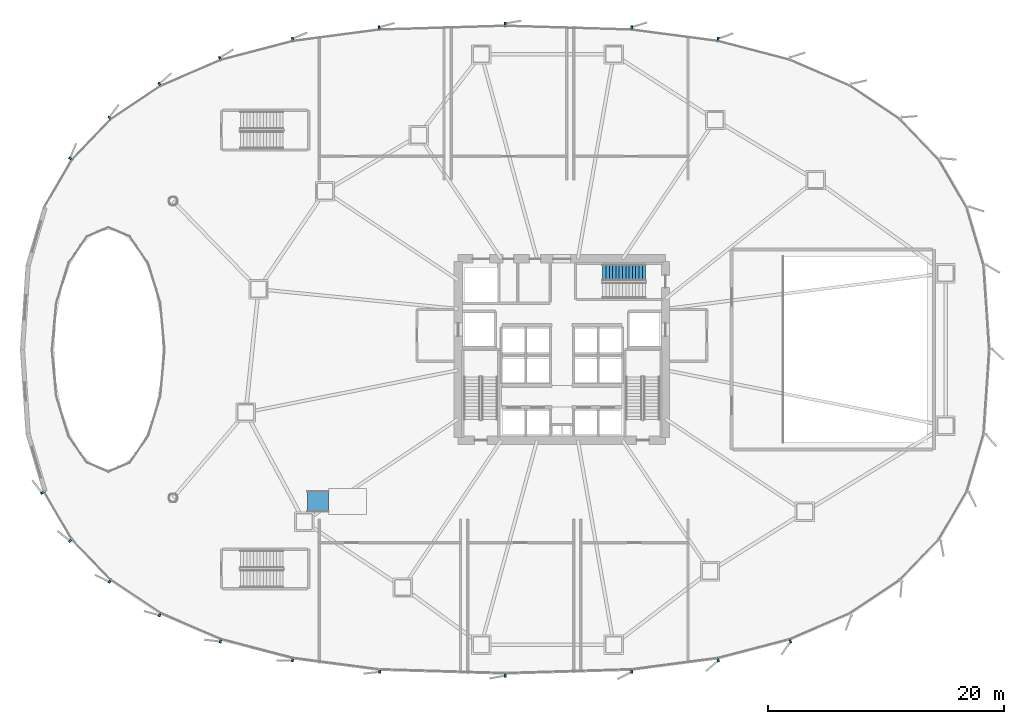
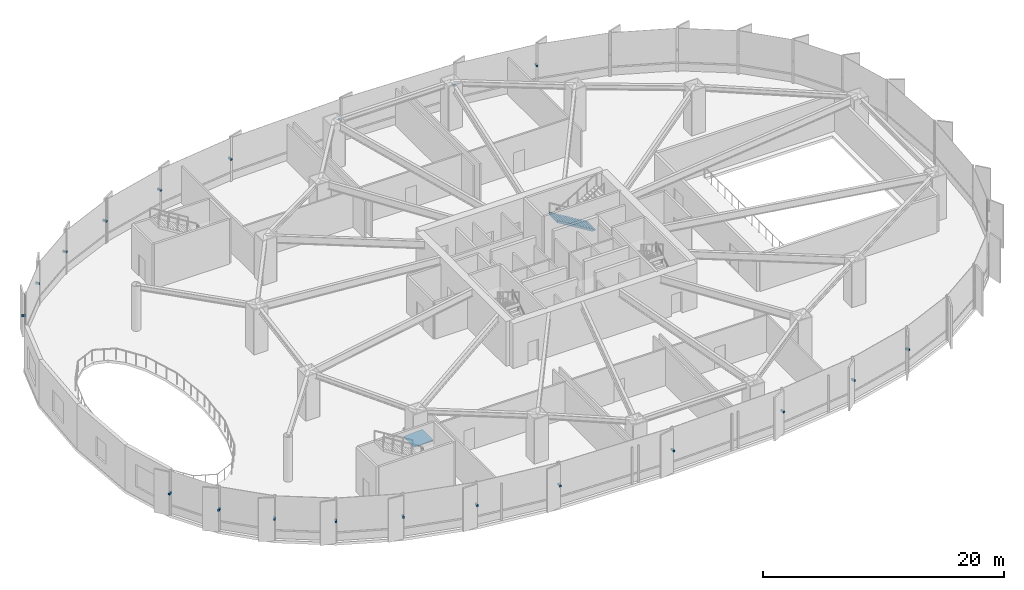
# One storey, part 27 of 34: 20 discrete accessories, 1 ramp flight, 1 stair flight, 2 elements without a shape of their own.
"""IFC4 building model written with IfcOpenShell, lengths in metres."""

import ifcopenshell
import ifcopenshell.guid

model = None  # the IFC model being written
_history = None  # IfcOwnerHistory: only IFC2X3 demands one
_inside = {}  # id of a spatial element -> (the spatial element, [elements in it])
_under = {}  # id of a project, library or spatial element -> (it, [spatial elements below it])
_declared = {}  # id of a project -> (the project, [libraries it declares])
_typed = {}  # id of a type object -> (the type object, [elements of that type])
_made_of = {}  # id of a material, layer set ... -> (it, [elements and type objects made of it])


def new_model(schema):
    """Start an empty IFC model of exactly this schema.

    Asked for "IFC4X3", IfcOpenShell would pick the latest addendum, in which some entities
    have other attributes; the version numbers below select the first issue.
    IFC2X3 requires an IfcOwnerHistory on every rooted entity: one is made here for all.
    """
    global model, _history
    if schema == "IFC4X3":
        model = ifcopenshell.file(schema_version=(4, 3, 0, 0))
    else:
        model = ifcopenshell.file(schema=schema)
    _inside.clear()
    _under.clear()
    _declared.clear()
    _typed.clear()
    _made_of.clear()
    _history = None
    if model.schema == "IFC2X3":
        org = make("IfcOrganization", Name="unknown")
        user = make(
            "IfcPersonAndOrganization",
            ThePerson=make("IfcPerson", FamilyName="unknown"),
            TheOrganization=org,
        )
        app = make(
            "IfcApplication",
            ApplicationDeveloper=org,
            Version="unknown",
            ApplicationFullName="unknown",
            ApplicationIdentifier="unknown",
        )
        _history = make(
            "IfcOwnerHistory",
            OwningUser=user,
            OwningApplication=app,
            ChangeAction="ADDED",
            CreationDate=0,
        )
    return model


def make(cls, **values):
    """One entity of the class cls with the attributes given. An attribute that is None is left unset."""
    return model.create_entity(
        cls, **{name: value for name, value in values.items() if value is not None}
    )


def rooted(cls, **values):
    """An entity with a GlobalId (a new one), such as an element, a storey or a relation."""
    return make(cls, GlobalId=ifcopenshell.guid.new(), OwnerHistory=_history, **values)


def si_unit(unit_type, name, prefix=None):
    """IfcSIUnit, for example si_unit("LENGTHUNIT", "METRE", prefix="MILLI")."""
    return make("IfcSIUnit", UnitType=unit_type, Prefix=prefix, Name=name)


def assignment(units):
    """IfcUnitAssignment: the units of a project."""
    return None if units is None else make("IfcUnitAssignment", Units=units)


def point(xyz):
    """IfcCartesianPoint."""
    return None if xyz is None else make("IfcCartesianPoint", Coordinates=xyz)


def direction(xyz):
    """IfcDirection."""
    return None if xyz is None else make("IfcDirection", DirectionRatios=xyz)


def frame(location, z_axis=None, x_axis=None):
    """IfcAxis2Placement3D, a coordinate frame: its origin and axes. An axis left out is left unset."""
    return make(
        "IfcAxis2Placement3D",
        Location=point(location),
        Axis=direction(z_axis),
        RefDirection=direction(x_axis),
    )


def frame_2d(location, x_axis=None):
    """IfcAxis2Placement2D, a coordinate frame in the plane: its origin and x axis."""
    return make(
        "IfcAxis2Placement2D", Location=point(location), RefDirection=direction(x_axis)
    )


def origin():
    """The frame at (0, 0, 0) with its axes left unset."""
    return frame((0.0, 0.0, 0.0))


def origin_2d():
    """The frame at (0, 0) in the plane with its x axis left unset."""
    return frame_2d((0.0, 0.0))


def place(relative_to, where):
    """IfcLocalPlacement: puts the frame where relative to a parent placement (None: the world)."""
    return make(
        "IfcLocalPlacement", PlacementRelTo=relative_to, RelativePlacement=where
    )


def context(
    kind, dimensions, precision=None, world=None, true_north=None, identifier=None
):
    """IfcGeometricRepresentationContext, for example the 3D "Model" context."""
    return make(
        "IfcGeometricRepresentationContext",
        ContextIdentifier=identifier,
        ContextType=kind,
        CoordinateSpaceDimension=dimensions,
        Precision=precision,
        WorldCoordinateSystem=world,
        TrueNorth=true_north,
    )


def subcontext(parent, identifier, kind, view, scale=None):
    """IfcGeometricRepresentationSubContext, for example "Body" below "Model"."""
    return make(
        "IfcGeometricRepresentationSubContext",
        ContextIdentifier=identifier,
        ContextType=kind,
        ParentContext=parent,
        TargetScale=scale,
        TargetView=view,
    )


def project(units=None, contexts=None):
    """IfcProject with its units and contexts."""
    return rooted(
        "IfcProject",
        Name="project",
        RepresentationContexts=contexts,
        UnitsInContext=assignment(units),
    )


def spatial(cls, under=None, at=None, **own):
    """A site, building, storey or space (cls), placed at a placement, below another one or the project."""
    s = rooted(cls, ObjectPlacement=at, **own)
    if under is not None:
        _under.setdefault(under.id(), (under, []))[1].append(s)
    return s


def polyline(points):
    """IfcPolyline through the points."""
    return make("IfcPolyline", Points=[point(p) for p in points])


def profile(cls, at=None, kind="AREA", **sizes):
    """A parametric profile (cls). Its sizes go by their IFC names, for example OverallWidth=200.0."""
    return make(cls, ProfileType=kind, Position=at, **sizes)


def rectangle(**sizes):
    """IfcRectangleProfileDef."""
    return profile("IfcRectangleProfileDef", **sizes)


def outline(outer, holes=None, kind="AREA"):
    """IfcArbitraryClosedProfileDef: a profile drawn as a closed curve; with holes, ...WithVoids."""
    if holes is None:
        return make("IfcArbitraryClosedProfileDef", ProfileType=kind, OuterCurve=outer)
    return make(
        "IfcArbitraryProfileDefWithVoids",
        ProfileType=kind,
        OuterCurve=outer,
        InnerCurves=holes,
    )


def extrude(swept, where, along, depth):
    """IfcExtrudedAreaSolid: the profile swept, set in the frame where, extruded along a direction by depth."""
    return make(
        "IfcExtrudedAreaSolid",
        SweptArea=swept,
        Position=where,
        ExtrudedDirection=direction(along),
        Depth=depth,
    )


def shape(context_of_items, identifier, shape_type, items):
    """IfcShapeRepresentation: the items that make up one representation, for example the "Body"."""
    return make(
        "IfcShapeRepresentation",
        ContextOfItems=context_of_items,
        RepresentationIdentifier=identifier,
        RepresentationType=shape_type,
        Items=items,
    )


def source(mapping_origin, context_of_items, identifier, shape_type, items):
    """IfcRepresentationMap: a shape defined once, which mapped items show again and again."""
    return make(
        "IfcRepresentationMap",
        MappingOrigin=mapping_origin,
        MappedRepresentation=shape(context_of_items, identifier, shape_type, items),
    )


def transform(
    local_origin,
    x_axis=None,
    y_axis=None,
    z_axis=None,
    scale=None,
    scale2=None,
    scale3=None,
    uniform=True,
):
    """IfcCartesianTransformationOperator3D, or its non-uniform kind. x_axis, y_axis, z_axis: its Axis1, 2, 3."""
    if uniform:
        return make(
            "IfcCartesianTransformationOperator3D",
            Axis1=direction(x_axis),
            Axis2=direction(y_axis),
            LocalOrigin=point(local_origin),
            Scale=scale,
            Axis3=direction(z_axis),
        )
    return make(
        "IfcCartesianTransformationOperator3DnonUniform",
        Axis1=direction(x_axis),
        Axis2=direction(y_axis),
        LocalOrigin=point(local_origin),
        Scale=scale,
        Axis3=direction(z_axis),
        Scale2=scale2,
        Scale3=scale3,
    )


def mapped(mapping_source, mapping_target):
    """IfcMappedItem: shows the shape of a source again, moved by a transform."""
    return make(
        "IfcMappedItem", MappingSource=mapping_source, MappingTarget=mapping_target
    )


def material(Name=None, Category=None):
    """IfcMaterial."""
    return make("IfcMaterial", Name=Name, Category=Category)


def layer(
    of_material, thickness, ventilated=None, Name=None, Category=None, Priority=None
):
    """IfcMaterialLayer: one layer of a wall or slab, of a material (None: an air gap)."""
    return make(
        "IfcMaterialLayer",
        Material=of_material,
        LayerThickness=thickness,
        IsVentilated=ventilated,
        Name=Name,
        Category=Category,
        Priority=Priority,
    )


def layer_set(layers, Name=None):
    """IfcMaterialLayerSet."""
    return make("IfcMaterialLayerSet", MaterialLayers=layers, LayerSetName=Name)


def made_of(thing, what):
    """Note that an element or type object is made of a material, layer set ...; save() writes the relation."""
    if what is not None:
        _made_of.setdefault(what.id(), (what, []))[1].append(thing)
    return thing


def type_object(cls, material=None, **own):
    """A type object (cls), such as IfcWallType, which elements share."""
    return made_of(rooted(cls, **own), material)


def element(
    cls,
    number,
    at=None,
    inside=None,
    cuts=None,
    type_object=None,
    material=None,
    context=None,
    identifier="Body",
    shape_type=None,
    held_by="IfcProductDefinitionShape",
    body=None,
    shapes=None,
    **own,
):
    """One element of the class cls, such as IfcWall. Its Tag is "e" and its number.

    at: its placement. inside: the storey or other place that contains it. cuts: it is an
    opening in that element (IfcRelVoidsElement). A single representation is given by context,
    identifier, shape_type and body (its items); several are given by shapes. held_by: the class
    of the entity that holds the representations. save() writes the other relations.
    """
    e = rooted(cls, Tag="e%d" % number, ObjectPlacement=at, **own)
    if body is not None:
        shapes = [shape(context, identifier, shape_type, body)]
    if shapes is not None:
        e.Representation = make(held_by, Representations=shapes)
    if inside is not None:
        _inside.setdefault(inside.id(), (inside, []))[1].append(e)
    if cuts is not None:
        rooted(
            "IfcRelVoidsElement", RelatingBuildingElement=cuts, RelatedOpeningElement=e
        )
    if type_object is not None:
        _typed.setdefault(type_object.id(), (type_object, []))[1].append(e)
    return made_of(e, material)


def aggregate(whole, parts):
    """IfcRelAggregates: a whole, such as a stair, and the parts it consists of."""
    return rooted("IfcRelAggregates", RelatingObject=whole, RelatedObjects=parts)


def save(model, path):
    """Write the relations noted so far, then the file.

    IfcRelAggregates (storeys below a building ...), IfcRelContainedInSpatialStructure (elements
    in a storey), IfcRelDefinesByType, IfcRelAssociatesMaterial and IfcRelDeclares: one each for
    every whole, place, type object, material and project.
    """
    for whole, parts in _under.values():
        aggregate(whole, parts)
    for where, things in _inside.values():
        rooted(
            "IfcRelContainedInSpatialStructure",
            RelatedElements=things,
            RelatingStructure=where,
        )
    for kind, things in _typed.values():
        rooted("IfcRelDefinesByType", RelatedObjects=things, RelatingType=kind)
    for what, things in _made_of.values():
        rooted("IfcRelAssociatesMaterial", RelatedObjects=things, RelatingMaterial=what)
    for by, libraries in _declared.values():
        rooted("IfcRelDeclares", RelatingContext=by, RelatedDefinitions=libraries)
    model.write(path)


model = new_model("IFC4")

# Units and contexts
model_context = context("Model", 3, precision=1e-05, world=origin(), true_north=direction((0.0, 1.0)))
body_context = subcontext(model_context, "Body", "Model", "MODEL_VIEW")
ifc_project = project(units=[si_unit("LENGTHUNIT", "METRE"), si_unit("AREAUNIT", "SQUARE_METRE"), si_unit("VOLUMEUNIT", "CUBIC_METRE"), si_unit("PLANEANGLEUNIT", "RADIAN"), si_unit("MASSUNIT", "GRAM", prefix="KILO"), si_unit("THERMODYNAMICTEMPERATUREUNIT", "KELVIN")], contexts=[model_context])

# Site, building, storey
site_placement = place(None, origin())
site = spatial("IfcSite", under=ifc_project, at=site_placement, CompositionType="ELEMENT")
building_placement = place(site_placement, origin())
building = spatial("IfcBuilding", under=site, at=building_placement, Name="Kethvar Cultural Tower", CompositionType="ELEMENT")
storey_placement = place(building_placement, frame((0.0, 0.0, 14.800048828125)))
storey = spatial("IfcBuildingStorey", under=building, at=storey_placement, Name="L03", CompositionType="ELEMENT", Elevation=14.800048828125)

# Stair, stair flight
ifc_material_1 = material(Name="Concrete C40/50", Category="concrete")
stair_type = type_object("IfcStairType", Name="ST-DOGLEG-135", PredefinedType="HALF_TURN_STAIR", material=ifc_material_1)
stair_placement = place(storey_placement, origin())
stair = element("IfcStair", 1, at=stair_placement, inside=storey, type_object=stair_type, Name="L03 Core Exit Stair 3", PredefinedType="HALF_TURN_STAIR")
stair_flight_type = type_object("IfcStairFlightType", Name="FL-STRAIGHT-135", PredefinedType="STRAIGHT", material=ifc_material_1)
stair_flight_placement = place(storey_placement, frame((53.89990234375, 34.3349609375, 0.0), z_axis=(0.0, 0.0, 1.0), x_axis=(-1.0, 0.0, 0.0)))
stair_flight = element("IfcStairFlight", 2, at=stair_flight_placement, type_object=stair_flight_type, Name="ST-03 flight 1", NumberOfRisers=14, NumberOfTreads=13, PredefinedType="STRAIGHT", RiserHeight=0.171428571, TreadLength=0.28, context=body_context, shape_type="SweptSolid", body=[
    extrude(outline(polyline([(-0.0009765625, -0.0009765625), (-0.0009765625, 0.17138671875), (0.280029296875, 0.17138671875), (0.280029296875, 0.3427734375), (0.56005859375, 0.3427734375), (0.56005859375, 0.514404296875), (0.840087890625, 0.514404296875), (0.840087890625, 0.685791015625), (1.1201171875, 0.685791015625), (1.1201171875, 0.857177734375), (1.39990234375, 0.857177734375), (1.39990234375, 1.028564453125), (1.679931640625, 1.028564453125), (1.679931640625, 1.199951171875), (1.9599609375, 1.199951171875), (1.9599609375, 1.371337890625), (2.239990234375, 1.371337890625), (2.239990234375, 1.54296875), (2.52001953125, 1.54296875), (2.52001953125, 1.71435546875), (2.800048828125, 1.71435546875), (2.800048828125, 1.8857421875), (3.080078125, 1.8857421875), (3.080078125, 2.05712890625), (3.360107421875, 2.05712890625), (3.360107421875, 2.228515625), (3.639892578125, 2.228515625), (3.639892578125, 2.39990234375), (3.640869140625, 2.39990234375), (3.640869140625, 2.052734375), (0.287109375, 0.0), (0.0, -0.0009765625), (-0.0009765625, -0.0009765625)])), frame((0.0, 0.675048828125, 0.0), z_axis=(0.0, -1.0, 0.0), x_axis=(1.0, 0.0, 0.0)), (0.0, 0.0, 1.0), 1.35009765625),
])
aggregate(stair, [stair_flight])

# Ramp, ramp flight
ramp_type = type_object("IfcRampType", Name="RMP-ACC-1800", PredefinedType="STRAIGHT_RUN_RAMP", material=ifc_material_1)
ramp_placement = place(storey_placement, origin())
ramp = element("IfcRamp", 3, at=ramp_placement, inside=storey, type_object=ramp_type, Name="L03 Accessible Foyer Ramp 4", PredefinedType="STRAIGHT_RUN_RAMP")
ifc_layer = layer(ifc_material_1, 0.1201171875, Name="Concrete C40/50", Category="concrete")
ifc_layer_set = layer_set([ifc_layer], Name="Concrete C40/50 (120 mm)")
ramp_flight_type = type_object("IfcRampFlightType", Name="RFL-ACC-1800", PredefinedType="STRAIGHT", material=ifc_layer_set)
ramp_flight_placement = place(storey_placement, frame((25.199951171875, 14.89990234375, 0.0), z_axis=(0.0, 0.0, 1.0), x_axis=(1.0, 0.0, 0.0)))
ramp_flight = element("IfcRampFlight", 4, at=ramp_flight_placement, type_object=ramp_flight_type, Name="L03 Accessible Foyer Ramp Flight 4", PredefinedType="STRAIGHT", context=body_context, shape_type="SweptSolid", body=[
    extrude(outline(polyline([(-0.0009765625, -0.0009765625), (1.801025390625, -0.0009765625), (1.801025390625, 0.119873046875), (-0.0009765625, 0.008056640625), (-0.0009765625, -0.0009765625)])), frame((0.0, 0.89990234375, 0.0), z_axis=(0.0, -1.0, 0.0), x_axis=(1.0, 0.0, 0.0)), (0.0, 0.0, 1.0), 1.800048828125),
])
aggregate(ramp, [ramp_flight])

# Discrete accessories
ifc_material_2 = material(Name="Steel S355J2", Category="steel")
discrete_accessory_type = type_object("IfcDiscreteAccessoryType", Name="Steel Fin Bracket BRK-01", PredefinedType="BRACKET", material=ifc_material_2)
shared_shape = source(origin(), body_context, "Body", "SweptSolid", [
    extrude(rectangle(XDim=0.3798828125, YDim=0.159912109375, at=origin_2d()), origin(), (0.0, 0.0, 1.0), 0.179931640625),
])
for number, where, z_axis, x_axis, name in (
    (5, (60.05126953125, 54.120361328125, 2.1298828125), (0.0, 0.0, 1.0), (0.130699230003, 0.991422065155, 0.0), "L03 Terracotta Fin Bracket 2.2"),
    (6, (52.71630859375, 55.0869140625, 2.1298828125), (0.0, 0.0, 1.0), (0.030189608314, 0.999544189894, 0.0), "L03 Terracotta Fin Bracket 2.3"),
    (7, (41.999755859375, 55.409912109375, 2.1298828125), (0.0, 0.0, 1.0), (-0.030189608314, 0.999544189894, 0.0), "L03 Terracotta Fin Bracket 2.4"),
    (8, (31.28271484375, 55.0869140625, 2.1298828125), (0.0, 0.0, 1.0), (-0.130699230003, 0.991422065155, 0.0), "L03 Terracotta Fin Bracket 2.5"),
    (9, (23.947509765625, 54.1201171875, 2.1298828125), (0.0, 0.0, 1.0), (-0.253082602519, 0.96744467351, 0.0), "L03 Terracotta Fin Bracket 2.6"),
    (10, (17.778076171875, 52.498779296875, 2.1298828125), (0.0, 0.0, 1.0), (-0.396346847517, 0.9181008531, 0.0), "L03 Terracotta Fin Bracket 3.1"),
    (11, (12.668212890625, 50.292236328125, 2.1298828125), (0.0, 0.0, 1.0), (-0.556585649903, 0.83079023485, 0.0), "L03 Terracotta Fin Bracket 3.2"),
    (12, (8.4296875, 47.452880859375, 2.1298828125), (0.0, 0.0, 1.0), (-0.72055111168, 0.693401828276, 0.0), "L03 Terracotta Fin Bracket 3.3"),
    (13, (5.106689453125, 43.998779296875, 2.1298828125), (0.0, 0.0, 1.0), (-0.864011302865, 0.503472410885, 0.0), "L03 Terracotta Fin Bracket 3.4"),
    (14, (2.74072265625, 15.6611328125, 2.1298828125), (0.0, 0.0, 1.0), (-0.864011302865, -0.503472410885, 0.0), "L03 Terracotta Fin Bracket 4.1"),
    (15, (5.1083984375, 11.59912109375, 2.1298828125), (0.0, 0.0, 1.0), (-0.72055111168, -0.693401828276, 0.0), "L03 Terracotta Fin Bracket 4.2"),
    (16, (8.431396484375, 8.14599609375, 2.1298828125), (0.0, 0.0, 1.0), (-0.556585649903, -0.83079023485, 0.0), "L03 Terracotta Fin Bracket 4.3"),
    (17, (12.669677734375, 5.306884765625, 2.1298828125), (0.0, 0.0, 1.0), (-0.396346847517, -0.9181008531, 0.0), "L03 Terracotta Fin Bracket 4.4"),
    (18, (17.82421875, 3.081298828125, 2.1298828125), (0.0, 0.0, 1.0), (-0.253082602519, -0.96744467351, 0.0), "L03 Terracotta Fin Bracket 4.5"),
    (19, (23.94873046875, 1.4794921875, 2.1298828125), (0.0, 0.0, 1.0), (-0.130699230003, -0.991422065155, 0.0), "L03 Terracotta Fin Bracket 4.6"),
    (20, (31.33251953125, 0.51171875, 2.1298828125), (0.0, 0.0, 1.0), (-0.030189608314, -0.999544189894, 0.0), "L03 Terracotta Fin Bracket 5.1"),
    (21, (42.000244140625, 0.18994140625, 2.1298828125), (0.0, 0.0, 1.0), (0.030189608314, -0.999544189894, 0.0), "L03 Terracotta Fin Bracket 5.2"),
    (22, (52.71728515625, 0.51318359375, 2.1298828125), (0.0, 0.0, 1.0), (0.130699230003, -0.991422065155, 0.0), "L03 Terracotta Fin Bracket 5.3"),
    (23, (60.052490234375, 1.47998046875, 2.1298828125), (0.0, 0.0, 1.0), (0.253082602519, -0.96744467351, 0.0), "L03 Terracotta Fin Bracket 5.4"),
    (24, (66.17724609375, 3.081787109375, 2.1298828125), (0.0, 0.0, 1.0), (0.396346847517, -0.9181008531, 0.0), "L03 Terracotta Fin Bracket 5.5"),
):
    element("IfcDiscreteAccessory", number, at=place(storey_placement, frame(where, z_axis=z_axis, x_axis=x_axis)), inside=storey, type_object=discrete_accessory_type, Name=name, PredefinedType="BRACKET", context=body_context, shape_type="MappedRepresentation", body=[
        mapped(shared_shape, transform((0.0, 0.0, 0.0), scale=1.0)),
    ])

save(model, "model.ifc")
